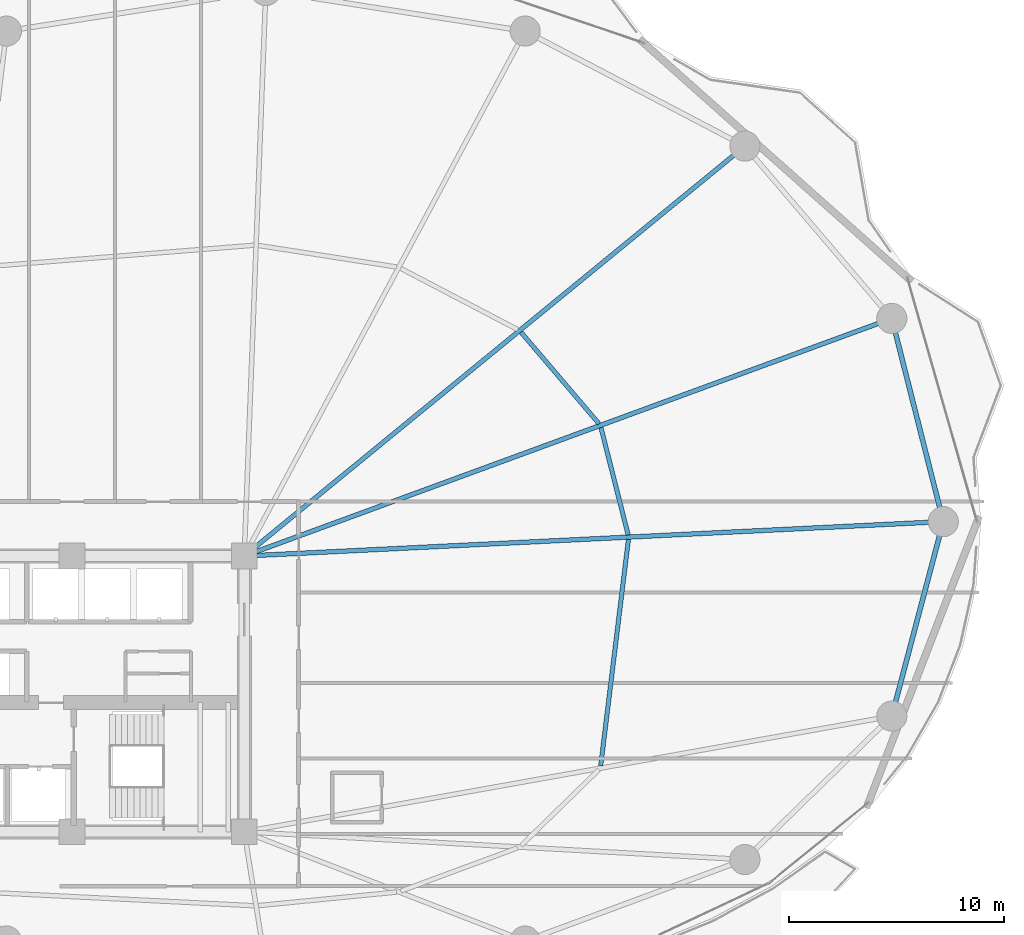
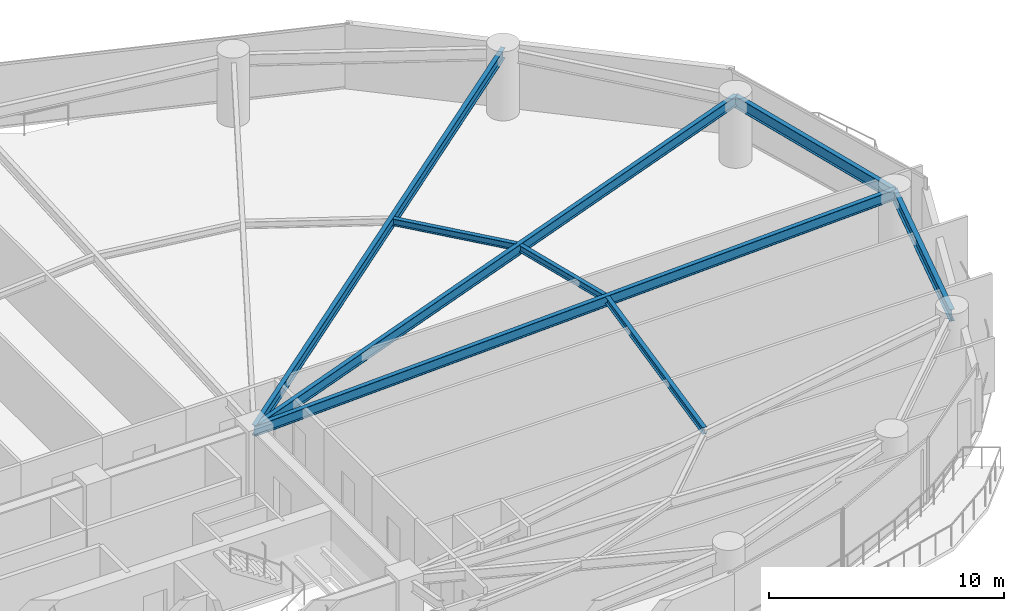
# One storey, part 16 of 32: 8 beams.
"""IFC4 building model written with IfcOpenShell, lengths in metres."""

from ifc_helpers import new_model, si_unit, direction, frame, origin, origin_2d, place, context, subcontext, project, spatial, i_section, extrude, material, material_profile, profile_set, type_object, element, save


model = new_model("IFC4")

# Units and contexts
model_context = context("Model", 3, precision=1e-05, world=origin(), true_north=direction((0.0, 1.0)))
body_context = subcontext(model_context, "Body", "Model", "MODEL_VIEW")
ifc_project = project(units=[si_unit("LENGTHUNIT", "METRE"), si_unit("AREAUNIT", "SQUARE_METRE"), si_unit("VOLUMEUNIT", "CUBIC_METRE"), si_unit("PLANEANGLEUNIT", "RADIAN"), si_unit("MASSUNIT", "GRAM", prefix="KILO")], contexts=[model_context])

# Site, building, storey
site_placement = place(None, origin())
site = spatial("IfcSite", under=ifc_project, at=site_placement, CompositionType="ELEMENT")
building_placement = place(site_placement, origin())
building = spatial("IfcBuilding", under=site, at=building_placement, Name="Kazevale Care Tower and Concert Hall", CompositionType="ELEMENT")
storey_placement = place(building_placement, frame((0.0, 0.0, 85.199951171875)))
storey = spatial("IfcBuildingStorey", under=building, at=storey_placement, Name="L22", CompositionType="ELEMENT", Elevation=85.199951171875)

# Beams
ifc_material = material(Name="Steel ASTM A572 Gr 50", Category="steel")
ifc_material_profile_1 = material_profile(ifc_material, i_section(OverallWidth=0.2119140625, OverallDepth=0.5439453125, WebThickness=0.01318359375, FlangeThickness=0.021240234375, at=origin_2d()), Name="W530x123")
ifc_profile_set_1 = profile_set([ifc_material_profile_1], Name="Steel ASTM A572 Gr 50")
beam_type_1 = type_object("IfcBeamType", Name="Radial Floor Girder W530x123", PredefinedType="BEAM", material=ifc_profile_set_1)
beam_1_placement = place(storey_placement, frame((44.0, 36.39990234375, 3.088134765625), z_axis=(0.998786488782, 0.049249871327, 0.0), x_axis=(-0.049249871327, 0.998786488782, 0.0)))
element("IfcBeam", 1, at=beam_1_placement, inside=storey, type_object=beam_type_1, Name="beam:L22:rad:01", PredefinedType="BEAM", context=body_context, shape_type="SweptSolid", body=[
    extrude(i_section(OverallWidth=0.2119140625, OverallDepth=0.5439453125, WebThickness=0.01318359375, FlangeThickness=0.021240234375, at=origin_2d()), origin(), (0.0, 0.0, 1.0), 32.4892578125),
])
beam_2_placement = place(storey_placement, frame((44.0, 36.39990234375, 3.088134765625), z_axis=(0.938795458019, 0.34447509054, 0.0), x_axis=(-0.34447509054, 0.938795458019, 0.0)))
element("IfcBeam", 2, at=beam_2_placement, inside=storey, type_object=beam_type_1, Name="beam:L22:rad:02", PredefinedType="BEAM", context=body_context, shape_type="SweptSolid", body=[
    extrude(i_section(OverallWidth=0.2119140625, OverallDepth=0.5439453125, WebThickness=0.01318359375, FlangeThickness=0.021240234375, at=origin_2d()), origin(), (0.0, 0.0, 1.0), 32.019775390625),
])
beam_3_placement = place(storey_placement, frame((44.0, 36.39990234375, 3.088134765625), z_axis=(0.773704467398, 0.633546681097, 0.0), x_axis=(-0.633546681097, 0.773704467398, 0.0)))
element("IfcBeam", 3, at=beam_3_placement, inside=storey, type_object=beam_type_1, Name="beam:L22:rad:03", PredefinedType="BEAM", context=body_context, shape_type="SweptSolid", body=[
    extrude(i_section(OverallWidth=0.2119140625, OverallDepth=0.5439453125, WebThickness=0.01318359375, FlangeThickness=0.021240234375, at=origin_2d()), origin(), (0.0, 0.0, 1.0), 30.037353515625),
])
ifc_material_profile_2 = material_profile(ifc_material, i_section(OverallWidth=0.22900390625, OverallDepth=0.612060546875, WebThickness=0.011962890625, FlangeThickness=0.01953125, at=origin_2d()), Name="W610x125")
ifc_profile_set_2 = profile_set([ifc_material_profile_2], Name="Steel ASTM A572 Gr 50")
beam_type_2 = type_object("IfcBeamType", Name="Ring Spandrel Beam W610x125", PredefinedType="SPANDREL", material=ifc_profile_set_2)
beam_4_placement = place(storey_placement, frame((76.449951171875, 38.0, 3.053955078125), z_axis=(-0.245669948409, 0.969353535326, 0.0), x_axis=(-0.969353535326, -0.245669948409, 0.0)))
element("IfcBeam", 4, at=beam_4_placement, inside=storey, type_object=beam_type_2, Name="beam:L22:ring:01", PredefinedType="SPANDREL", context=body_context, shape_type="SweptSolid", body=[
    extrude(i_section(OverallWidth=0.22900390625, OverallDepth=0.612060546875, WebThickness=0.011962890625, FlangeThickness=0.01953125, at=origin_2d()), origin(), (0.0, 0.0, 1.0), 9.72802734375),
])
beam_5_placement = place(storey_placement, frame((74.06005859375, 28.969970703125, 3.053955078125), z_axis=(0.255851611973, 0.966716066201, 0.0), x_axis=(-0.966716066201, 0.255851611973, 0.0)))
element("IfcBeam", 5, at=beam_5_placement, inside=storey, type_object=beam_type_2, Name="beam:L22:ring:16", PredefinedType="SPANDREL", context=body_context, shape_type="SweptSolid", body=[
    extrude(i_section(OverallWidth=0.22900390625, OverallDepth=0.612060546875, WebThickness=0.011962890625, FlangeThickness=0.01953125, at=origin_2d()), origin(), (0.0, 0.0, 1.0), 9.3408203125),
])
ifc_material_profile_3 = material_profile(ifc_material, i_section(OverallWidth=0.205078125, OverallDepth=0.35400390625, WebThickness=0.009521484375, FlangeThickness=0.016845703125, at=origin_2d()), Name="W360x79")
ifc_profile_set_3 = profile_set([ifc_material_profile_3], Name="Steel ASTM A572 Gr 50")
beam_type_3 = type_object("IfcBeamType", Name="Secondary Floor Joist W360x79", PredefinedType="JOIST", material=ifc_profile_set_3)
beam_6_placement = place(storey_placement, frame((61.822021484375, 37.382080078125, 3.18310546875), z_axis=(-0.24568570229, 0.969349542575, 0.0), x_axis=(-0.969349542575, -0.24568570229, 0.0)))
element("IfcBeam", 6, at=beam_6_placement, inside=storey, type_object=beam_type_3, Name="beam:L22:joist:01", PredefinedType="JOIST", context=body_context, shape_type="SweptSolid", body=[
    extrude(i_section(OverallWidth=0.205078125, OverallDepth=0.35400390625, WebThickness=0.009521484375, FlangeThickness=0.016845703125, at=origin_2d()), origin(), (0.0, 0.0, 1.0), 5.140380859375),
])
beam_7_placement = place(storey_placement, frame((60.465087890625, 42.5458984375, 3.18310546875), z_axis=(-0.648685510477, 0.761056573783, 0.0), x_axis=(-0.761056573783, -0.648685510477, 0.0)))
element("IfcBeam", 7, at=beam_7_placement, inside=storey, type_object=beam_type_3, Name="beam:L22:joist:02", PredefinedType="JOIST", context=body_context, shape_type="SweptSolid", body=[
    extrude(i_section(OverallWidth=0.205078125, OverallDepth=0.35400390625, WebThickness=0.009521484375, FlangeThickness=0.016845703125, at=origin_2d()), origin(), (0.0, 0.0, 1.0), 5.57275390625),
])
beam_8_placement = place(storey_placement, frame((60.5458984375, 26.657958984375, 3.18310546875), z_axis=(0.1216468088, 0.992573450133, 0.0), x_axis=(-0.992573450133, 0.1216468088, 0.0)))
element("IfcBeam", 8, at=beam_8_placement, inside=storey, type_object=beam_type_3, Name="beam:L22:joist:16", PredefinedType="JOIST", context=body_context, shape_type="SweptSolid", body=[
    extrude(i_section(OverallWidth=0.205078125, OverallDepth=0.35400390625, WebThickness=0.009521484375, FlangeThickness=0.016845703125, at=origin_2d()), origin(), (0.0, 0.0, 1.0), 10.5966796875),
])

save(model, "model.ifc")
